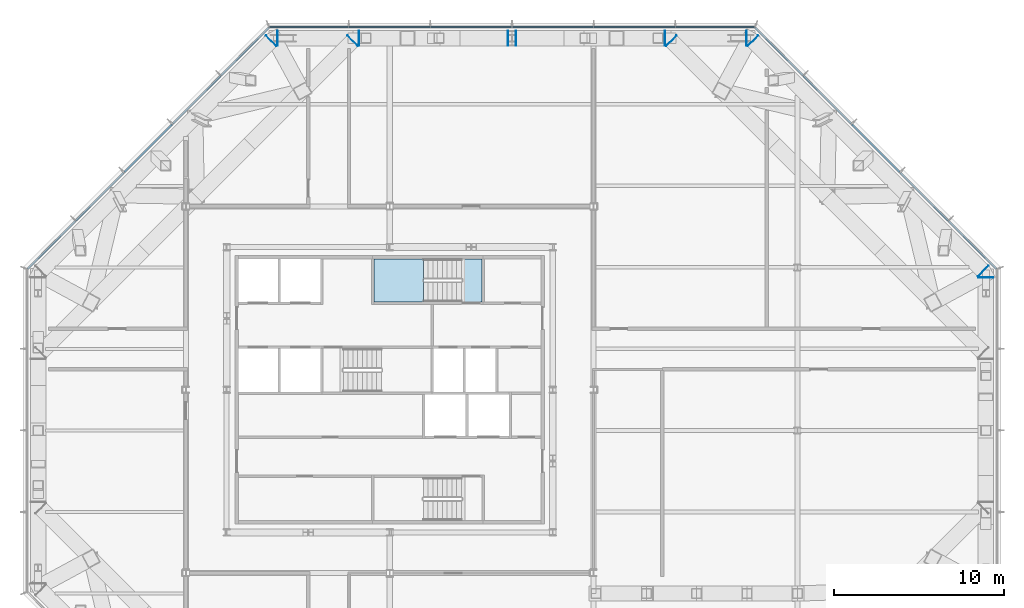
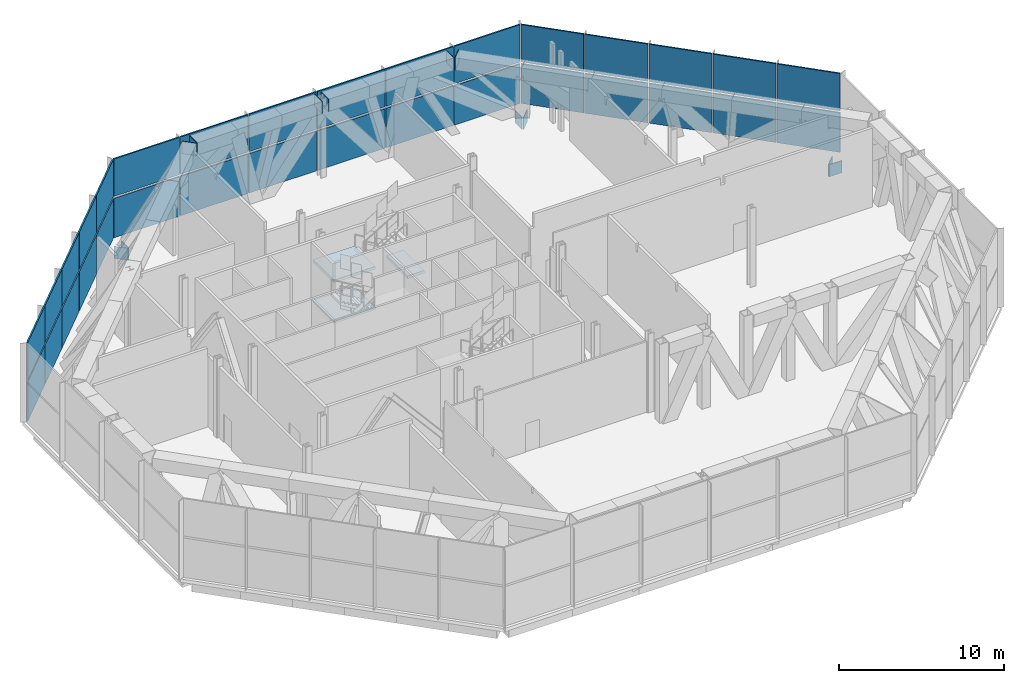
# One storey, part 12 of 18: 44 plates, 3 slabs, 4 elements without a shape of their own.
"""IFC4 building model written with IfcOpenShell, lengths in metres."""

from ifc_helpers import new_model, si_unit, direction, frame, origin, origin_2d, place, context, subcontext, project, spatial, polyline, rectangle, outline, extrude, material, layer, layer_set, material_profile, profile_set, type_object, element, aggregate, save


model = new_model("IFC4")

# Units and contexts
model_context = context("Model", 3, precision=1e-05, world=origin(), true_north=direction((0.0, 1.0)))
body_context = subcontext(model_context, "Body", "Model", "MODEL_VIEW")
ifc_project = project(units=[si_unit("LENGTHUNIT", "METRE"), si_unit("AREAUNIT", "SQUARE_METRE"), si_unit("VOLUMEUNIT", "CUBIC_METRE"), si_unit("PLANEANGLEUNIT", "RADIAN"), si_unit("MASSUNIT", "GRAM", prefix="KILO")], contexts=[model_context])

# Site, building, storey
site_placement = place(None, origin())
site = spatial("IfcSite", under=ifc_project, at=site_placement, CompositionType="ELEMENT")
building_placement = place(site_placement, origin())
building = spatial("IfcBuilding", under=site, at=building_placement, Name="Cairn Pilgrim Tower", CompositionType="ELEMENT")
storey_placement = place(building_placement, frame((0.0, 0.0, 204.60009765625)))
storey = spatial("IfcBuildingStorey", under=building, at=storey_placement, Name="L52", CompositionType="ELEMENT", Elevation=204.60009765625)

# Plates
ifc_material_1 = material(Name="Structural steel S460M", Category="steel")
ifc_material_profile = material_profile(ifc_material_1, rectangle(XDim=0.89990234375, YDim=0.89990234375, at=origin_2d()), Name="END PLATE BOX 900x900x50")
ifc_profile_set = profile_set([ifc_material_profile], Name="Structural steel S460M")
plate_type_1 = type_object("IfcPlateType", Name="END PLATE BOX 900x900x50", PredefinedType="SHEET", material=ifc_profile_set)
plate_1_placement = place(storey_placement, frame((42.300048828125, 8.99072265625, -0.7001953125), z_axis=(0.0, 1.0, 0.0), x_axis=(-1.0, 0.0, 0.0)))
element("IfcPlate", 1, at=plate_1_placement, inside=storey, type_object=plate_type_1, Name="EP-BT52-E-BC4-B", PredefinedType="SHEET", context=body_context, shape_type="SweptSolid", body=[
    extrude(rectangle(XDim=0.89990234375, YDim=0.89990234375, at=origin_2d()), origin(), (0.0, 0.0, 1.0), 0.0400390625),
])
plate_2_placement = place(storey_placement, frame((42.1328125, 9.394287109375, -0.7001953125), z_axis=(0.710161195225, -0.704039115956, 0.0), x_axis=(0.704039115956, 0.710161195225, 0.0)))
element("IfcPlate", 2, at=plate_2_placement, inside=storey, type_object=plate_type_1, Name="EP-BT52-NE-BC1-A", PredefinedType="SHEET", context=body_context, shape_type="SweptSolid", body=[
    extrude(rectangle(XDim=0.89990234375, YDim=0.89990234375, at=origin_2d()), origin(), (0.0, 0.0, 1.0), 0.039794921875),
])
for number, where, z_axis, x_axis, name in (
    (3, (28.594482421875, 22.932861328125, -0.7001953125), (-0.707106781187, 0.707106781187, 0.0), (-0.707106781187, -0.707106781187, 0.0), "EP-BT52-NE-BC6-B"),
    (4, (23.79443359375, 22.932861328125, 5.39990234375), (-0.707106781187, 0.707106781187, 0.0), (-0.707106781187, -0.707106781187, 0.0), "EP-BT52-NE-TC6-B"),
):
    element("IfcPlate", number, at=place(storey_placement, frame(where, z_axis=z_axis, x_axis=x_axis)), inside=storey, type_object=plate_type_1, Name=name, PredefinedType="SHEET", context=body_context, shape_type="SweptSolid", body=[
        extrude(rectangle(XDim=0.89990234375, YDim=0.89990234375, at=origin_2d()), origin(), (0.0, 0.0, 1.0), 0.0400390625),
    ])
plate_3_placement = place(storey_placement, frame((28.19091796875, 23.10009765625, -0.7001953125), z_axis=(1.0, 0.0, 0.0), x_axis=(0.0, 1.0, 0.0)))
element("IfcPlate", 5, at=plate_3_placement, inside=storey, type_object=plate_type_1, Name="EP-BT52-N-BC1-A", PredefinedType="SHEET", context=body_context, shape_type="SweptSolid", body=[
    extrude(rectangle(XDim=0.89990234375, YDim=0.89990234375, at=origin_2d()), origin(), (0.0, 0.0, 1.0), 0.039794921875),
])
for number, where, z_axis, x_axis, name in (
    (6, (23.390869140625, 23.10009765625, 5.39990234375), (1.0, 0.0, 0.0), (0.0, 1.0, 0.0), "EP-BT52-N-TC1-A"),
    (7, (14.64794921875, 23.10009765625, 5.39990234375), (-1.0, 0.0, 0.0), (0.0, -1.0, 0.0), "EP-BT52-N-TC3-B"),
):
    element("IfcPlate", number, at=place(storey_placement, frame(where, z_axis=z_axis, x_axis=x_axis)), inside=storey, type_object=plate_type_1, Name=name, PredefinedType="SHEET", context=body_context, shape_type="SweptSolid", body=[
        extrude(rectangle(XDim=0.89990234375, YDim=0.89990234375, at=origin_2d()), origin(), (0.0, 0.0, 1.0), 0.0400390625),
    ])
plate_4_placement = place(storey_placement, frame((14.152099609375, 23.10009765625, 5.39990234375), z_axis=(1.0, 0.0, 0.0), x_axis=(0.0, 1.0, 0.0)))
element("IfcPlate", 8, at=plate_4_placement, inside=storey, type_object=plate_type_1, Name="EP-BT52-N-TC4-A", PredefinedType="SHEET", context=body_context, shape_type="SweptSolid", body=[
    extrude(rectangle(XDim=0.89990234375, YDim=0.89990234375, at=origin_2d()), origin(), (0.0, 0.0, 1.0), 0.039794921875),
])
for number, where, z_axis, x_axis, name in (
    (9, (0.609130859375, 23.10009765625, -0.7001953125), (-1.0, 0.0, 0.0), (0.0, -1.0, 0.0), "EP-BT52-N-BC6-B"),
    (10, (5.4091796875, 23.10009765625, 5.39990234375), (-1.0, 0.0, 0.0), (0.0, -1.0, 0.0), "EP-BT52-N-TC6-B"),
    (11, (0.20556640625, 22.932861328125, -0.7001953125), (0.707106781187, 0.707106781187, 0.0), (-0.707106781187, 0.707106781187, 0.0), "EP-BT52-NW-BC1-A"),
    (12, (5.005615234375, 22.932861328125, 5.39990234375), (0.707106781187, 0.707106781187, 0.0), (-0.707106781187, 0.707106781187, 0.0), "EP-BT52-NW-TC1-A"),
):
    element("IfcPlate", number, at=place(storey_placement, frame(where, z_axis=z_axis, x_axis=x_axis)), inside=storey, type_object=plate_type_1, Name=name, PredefinedType="SHEET", context=body_context, shape_type="SweptSolid", body=[
        extrude(rectangle(XDim=0.89990234375, YDim=0.89990234375, at=origin_2d()), origin(), (0.0, 0.0, 1.0), 0.0400390625),
    ])

# Curtain wall, plates
ifc_material_2 = material(Name="Aluminium alloy 6063-T6 bronze anodised with Bronze tinted laminated low-E glass 8+16+8.8", Category="aluminium")
curtain_wall_type = type_object("IfcCurtainWallType", Name="PLANT LOUVRE CURTAIN WALL", PredefinedType="NOTDEFINED", material=ifc_material_2)
curtain_wall_1_placement = place(storey_placement, origin())
curtain_wall_1 = element("IfcCurtainWall", 13, at=curtain_wall_1_placement, inside=storey, type_object=curtain_wall_type, Name="Plant Louvre Curtain Wall NE", PredefinedType="NOTDEFINED")
ifc_material_3 = material(Name="Bronze anodised aluminium louvre blades", Category="aluminium")
ifc_layer_1 = layer(ifc_material_3, 0.10009765625)
ifc_layer_set_1 = layer_set([ifc_layer_1], Name="LOUVRE PANEL 3962x2775")
plate_type_2 = type_object("IfcPlateType", Name="LOUVRE PANEL 3962x2775", PredefinedType="CURTAIN_PANEL", material=ifc_layer_set_1)
plate_5_placement = place(storey_placement, frame((41.52099609375, 10.92529296875, 3.074951171875), z_axis=(0.0, 0.0, 1.0), x_axis=(-0.707106781187, 0.707106781187, 0.0)))
plate_5 = element("IfcPlate", 14, at=plate_5_placement, type_object=plate_type_2, Name="Louvre Panel NE1-2", PredefinedType="CURTAIN_PANEL", context=body_context, shape_type="SweptSolid", body=[
    extrude(rectangle(XDim=3.96142578125, YDim=0.10009765625, at=origin_2d()), origin(), (0.0, 0.0, 1.0), 2.77490234375),
])
plate_6_placement = place(storey_placement, frame((30.125244140625, 22.321044921875, 3.074951171875), z_axis=(0.0, 0.0, 1.0), x_axis=(-0.707106781187, 0.707106781187, 0.0)))
plate_6 = element("IfcPlate", 15, at=plate_6_placement, type_object=plate_type_2, Name="Louvre Panel NE5-2", PredefinedType="CURTAIN_PANEL", context=body_context, shape_type="SweptSolid", body=[
    extrude(rectangle(XDim=3.96142578125, YDim=0.10009765625, at=origin_2d()), origin(), (0.0, 0.0, 1.0), 2.77490234375),
])

curtain_wall_2_placement = place(storey_placement, origin())
curtain_wall_2 = element("IfcCurtainWall", 16, at=curtain_wall_2_placement, inside=storey, type_object=curtain_wall_type, Name="Plant Louvre Curtain Wall NW", PredefinedType="NOTDEFINED")
plate_7_placement = place(storey_placement, frame((-1.325439453125, 22.321044921875, 3.074951171875), z_axis=(0.0, 0.0, 1.0), x_axis=(-0.707106781187, -0.707106781187, 0.0)))
plate_7 = element("IfcPlate", 17, at=plate_7_placement, type_object=plate_type_2, Name="Louvre Panel NW1-2", PredefinedType="CURTAIN_PANEL", context=body_context, shape_type="SweptSolid", body=[
    extrude(rectangle(XDim=3.96142578125, YDim=0.10009765625, at=origin_2d()), origin(), (0.0, 0.0, 1.0), 2.77490234375),
])
plate_8_placement = place(storey_placement, frame((-12.72119140625, 10.92529296875, 3.074951171875), z_axis=(0.0, 0.0, 1.0), x_axis=(-0.707106781187, -0.707106781187, 0.0)))
plate_8 = element("IfcPlate", 18, at=plate_8_placement, type_object=plate_type_2, Name="Louvre Panel NW5-2", PredefinedType="CURTAIN_PANEL", context=body_context, shape_type="SweptSolid", body=[
    extrude(rectangle(XDim=3.96142578125, YDim=0.10009765625, at=origin_2d()), origin(), (0.0, 0.0, 1.0), 2.77490234375),
])

# Plate
ifc_layer_2 = layer(ifc_material_3, 0.10009765625)
ifc_layer_set_2 = layer_set([ifc_layer_2], Name="LOUVRE PANEL 3962x2925")
plate_type_3 = type_object("IfcPlateType", Name="LOUVRE PANEL 3962x2925", PredefinedType="CURTAIN_PANEL", material=ifc_layer_set_2)
plate_9_placement = place(storey_placement, frame((41.52099609375, 10.92529296875, 0.0), z_axis=(0.0, 0.0, 1.0), x_axis=(-0.707106781187, 0.707106781187, 0.0)))
plate_9 = element("IfcPlate", 19, at=plate_9_placement, type_object=plate_type_3, Name="Louvre Panel NE1-1", PredefinedType="CURTAIN_PANEL", context=body_context, shape_type="SweptSolid", body=[
    extrude(rectangle(XDim=3.96142578125, YDim=0.10009765625, at=origin_2d()), origin(), (0.0, 0.0, 1.0), 2.925048828125),
])

plate_10_placement = place(storey_placement, frame((30.125244140625, 22.321044921875, 0.0), z_axis=(0.0, 0.0, 1.0), x_axis=(-0.707106781187, 0.707106781187, 0.0)))
plate_10 = element("IfcPlate", 20, at=plate_10_placement, type_object=plate_type_3, Name="Louvre Panel NE5-1", PredefinedType="CURTAIN_PANEL", context=body_context, shape_type="SweptSolid", body=[
    extrude(rectangle(XDim=3.96142578125, YDim=0.10009765625, at=origin_2d()), origin(), (0.0, 0.0, 1.0), 2.925048828125),
])

plate_11_placement = place(storey_placement, frame((-1.325439453125, 22.321044921875, 0.0), z_axis=(0.0, 0.0, 1.0), x_axis=(-0.707106781187, -0.707106781187, 0.0)))
plate_11 = element("IfcPlate", 21, at=plate_11_placement, type_object=plate_type_3, Name="Louvre Panel NW1-1", PredefinedType="CURTAIN_PANEL", context=body_context, shape_type="SweptSolid", body=[
    extrude(rectangle(XDim=3.96142578125, YDim=0.10009765625, at=origin_2d()), origin(), (0.0, 0.0, 1.0), 2.925048828125),
])

plate_12_placement = place(storey_placement, frame((-12.72119140625, 10.92529296875, 0.0), z_axis=(0.0, 0.0, 1.0), x_axis=(-0.707106781187, -0.707106781187, 0.0)))
plate_12 = element("IfcPlate", 22, at=plate_12_placement, type_object=plate_type_3, Name="Louvre Panel NW5-1", PredefinedType="CURTAIN_PANEL", context=body_context, shape_type="SweptSolid", body=[
    extrude(rectangle(XDim=3.96142578125, YDim=0.10009765625, at=origin_2d()), origin(), (0.0, 0.0, 1.0), 2.925048828125),
])

ifc_layer_3 = layer(ifc_material_3, 0.10009765625)
ifc_layer_set_3 = layer_set([ifc_layer_3], Name="LOUVRE PANEL 3972x2775")
plate_type_4 = type_object("IfcPlateType", Name="LOUVRE PANEL 3972x2775", PredefinedType="CURTAIN_PANEL", material=ifc_layer_set_3)
plate_13_placement = place(storey_placement, frame((38.673828125, 13.7724609375, 3.074951171875), z_axis=(0.0, 0.0, 1.0), x_axis=(-0.707106781187, 0.707106781187, 0.0)))
plate_13 = element("IfcPlate", 23, at=plate_13_placement, type_object=plate_type_4, Name="Louvre Panel NE2-2", PredefinedType="CURTAIN_PANEL", context=body_context, shape_type="SweptSolid", body=[
    extrude(rectangle(XDim=3.971435546875, YDim=0.10009765625, at=origin_2d()), origin(), (0.0, 0.0, 1.0), 2.77490234375),
])

plate_14_placement = place(storey_placement, frame((35.8232421875, 16.623291015625, 3.074951171875), z_axis=(0.0, 0.0, 1.0), x_axis=(-0.707106781187, 0.707106781187, 0.0)))
plate_14 = element("IfcPlate", 24, at=plate_14_placement, type_object=plate_type_4, Name="Louvre Panel NE3-2", PredefinedType="CURTAIN_PANEL", context=body_context, shape_type="SweptSolid", body=[
    extrude(rectangle(XDim=3.971435546875, YDim=0.10009765625, at=origin_2d()), origin(), (0.0, 0.0, 1.0), 2.77490234375),
])

plate_15_placement = place(storey_placement, frame((32.972412109375, 19.473876953125, 3.074951171875), z_axis=(0.0, 0.0, 1.0), x_axis=(-0.707106781187, 0.707106781187, 0.0)))
plate_15 = element("IfcPlate", 25, at=plate_15_placement, type_object=plate_type_4, Name="Louvre Panel NE4-2", PredefinedType="CURTAIN_PANEL", context=body_context, shape_type="SweptSolid", body=[
    extrude(rectangle(XDim=3.971435546875, YDim=0.10009765625, at=origin_2d()), origin(), (0.0, 0.0, 1.0), 2.77490234375),
])

plate_16_placement = place(storey_placement, frame((-4.172607421875, 19.473876953125, 3.074951171875), z_axis=(0.0, 0.0, 1.0), x_axis=(-0.707106781187, -0.707106781187, 0.0)))
plate_16 = element("IfcPlate", 26, at=plate_16_placement, type_object=plate_type_4, Name="Louvre Panel NW2-2", PredefinedType="CURTAIN_PANEL", context=body_context, shape_type="SweptSolid", body=[
    extrude(rectangle(XDim=3.971435546875, YDim=0.10009765625, at=origin_2d()), origin(), (0.0, 0.0, 1.0), 2.77490234375),
])

plate_17_placement = place(storey_placement, frame((-7.023193359375, 16.623291015625, 3.074951171875), z_axis=(0.0, 0.0, 1.0), x_axis=(-0.707106781187, -0.707106781187, 0.0)))
plate_17 = element("IfcPlate", 27, at=plate_17_placement, type_object=plate_type_4, Name="Louvre Panel NW3-2", PredefinedType="CURTAIN_PANEL", context=body_context, shape_type="SweptSolid", body=[
    extrude(rectangle(XDim=3.971435546875, YDim=0.10009765625, at=origin_2d()), origin(), (0.0, 0.0, 1.0), 2.77490234375),
])

plate_18_placement = place(storey_placement, frame((-9.8740234375, 13.7724609375, 3.074951171875), z_axis=(0.0, 0.0, 1.0), x_axis=(-0.707106781187, -0.707106781187, 0.0)))
plate_18 = element("IfcPlate", 28, at=plate_18_placement, type_object=plate_type_4, Name="Louvre Panel NW4-2", PredefinedType="CURTAIN_PANEL", context=body_context, shape_type="SweptSolid", body=[
    extrude(rectangle(XDim=3.971435546875, YDim=0.10009765625, at=origin_2d()), origin(), (0.0, 0.0, 1.0), 2.77490234375),
])

ifc_layer_4 = layer(ifc_material_3, 0.10009765625)
ifc_layer_set_4 = layer_set([ifc_layer_4], Name="LOUVRE PANEL 3972x2925")
plate_type_5 = type_object("IfcPlateType", Name="LOUVRE PANEL 3972x2925", PredefinedType="CURTAIN_PANEL", material=ifc_layer_set_4)
plate_19_placement = place(storey_placement, frame((38.673828125, 13.7724609375, 0.0), z_axis=(0.0, 0.0, 1.0), x_axis=(-0.707106781187, 0.707106781187, 0.0)))
plate_19 = element("IfcPlate", 29, at=plate_19_placement, type_object=plate_type_5, Name="Louvre Panel NE2-1", PredefinedType="CURTAIN_PANEL", context=body_context, shape_type="SweptSolid", body=[
    extrude(rectangle(XDim=3.971435546875, YDim=0.10009765625, at=origin_2d()), origin(), (0.0, 0.0, 1.0), 2.925048828125),
])

plate_20_placement = place(storey_placement, frame((35.8232421875, 16.623291015625, 0.0), z_axis=(0.0, 0.0, 1.0), x_axis=(-0.707106781187, 0.707106781187, 0.0)))
plate_20 = element("IfcPlate", 30, at=plate_20_placement, type_object=plate_type_5, Name="Louvre Panel NE3-1", PredefinedType="CURTAIN_PANEL", context=body_context, shape_type="SweptSolid", body=[
    extrude(rectangle(XDim=3.971435546875, YDim=0.10009765625, at=origin_2d()), origin(), (0.0, 0.0, 1.0), 2.925048828125),
])

plate_21_placement = place(storey_placement, frame((32.972412109375, 19.473876953125, 0.0), z_axis=(0.0, 0.0, 1.0), x_axis=(-0.707106781187, 0.707106781187, 0.0)))
plate_21 = element("IfcPlate", 31, at=plate_21_placement, type_object=plate_type_5, Name="Louvre Panel NE4-1", PredefinedType="CURTAIN_PANEL", context=body_context, shape_type="SweptSolid", body=[
    extrude(rectangle(XDim=3.971435546875, YDim=0.10009765625, at=origin_2d()), origin(), (0.0, 0.0, 1.0), 2.925048828125),
])

aggregate(curtain_wall_1, [plate_9, plate_5, plate_19, plate_13, plate_20, plate_14, plate_21, plate_15, plate_10, plate_6])

plate_22_placement = place(storey_placement, frame((-4.172607421875, 19.473876953125, 0.0), z_axis=(0.0, 0.0, 1.0), x_axis=(-0.707106781187, -0.707106781187, 0.0)))
plate_22 = element("IfcPlate", 32, at=plate_22_placement, type_object=plate_type_5, Name="Louvre Panel NW2-1", PredefinedType="CURTAIN_PANEL", context=body_context, shape_type="SweptSolid", body=[
    extrude(rectangle(XDim=3.971435546875, YDim=0.10009765625, at=origin_2d()), origin(), (0.0, 0.0, 1.0), 2.925048828125),
])

plate_23_placement = place(storey_placement, frame((-7.023193359375, 16.623291015625, 0.0), z_axis=(0.0, 0.0, 1.0), x_axis=(-0.707106781187, -0.707106781187, 0.0)))
plate_23 = element("IfcPlate", 33, at=plate_23_placement, type_object=plate_type_5, Name="Louvre Panel NW3-1", PredefinedType="CURTAIN_PANEL", context=body_context, shape_type="SweptSolid", body=[
    extrude(rectangle(XDim=3.971435546875, YDim=0.10009765625, at=origin_2d()), origin(), (0.0, 0.0, 1.0), 2.925048828125),
])

plate_24_placement = place(storey_placement, frame((-9.8740234375, 13.7724609375, 0.0), z_axis=(0.0, 0.0, 1.0), x_axis=(-0.707106781187, -0.707106781187, 0.0)))
plate_24 = element("IfcPlate", 34, at=plate_24_placement, type_object=plate_type_5, Name="Louvre Panel NW4-1", PredefinedType="CURTAIN_PANEL", context=body_context, shape_type="SweptSolid", body=[
    extrude(rectangle(XDim=3.971435546875, YDim=0.10009765625, at=origin_2d()), origin(), (0.0, 0.0, 1.0), 2.925048828125),
])

aggregate(curtain_wall_2, [plate_11, plate_7, plate_22, plate_16, plate_23, plate_17, plate_24, plate_18, plate_12, plate_8])

# Curtain wall, plates
curtain_wall_3_placement = place(storey_placement, origin())
curtain_wall_3 = element("IfcCurtainWall", 35, at=curtain_wall_3_placement, inside=storey, type_object=curtain_wall_type, Name="Plant Louvre Curtain Wall N", PredefinedType="NOTDEFINED")
ifc_layer_5 = layer(ifc_material_3, 0.10009765625)
ifc_layer_set_5 = layer_set([ifc_layer_5], Name="LOUVRE PANEL 4626x2775")
plate_type_6 = type_object("IfcPlateType", Name="LOUVRE PANEL 4626x2775", PredefinedType="CURTAIN_PANEL", material=ifc_layer_set_5)
plate_25_placement = place(storey_placement, frame((26.34326171875, 23.75, 3.074951171875), z_axis=(0.0, 0.0, 1.0), x_axis=(-1.0, 0.0, 0.0)))
plate_25 = element("IfcPlate", 36, at=plate_25_placement, type_object=plate_type_6, Name="Louvre Panel N1-2", PredefinedType="CURTAIN_PANEL", context=body_context, shape_type="SweptSolid", body=[
    extrude(rectangle(XDim=4.62646484375, YDim=0.10009765625, at=origin_2d()), origin(), (0.0, 0.0, 1.0), 2.77490234375),
])
plate_26_placement = place(storey_placement, frame((2.456787109375, 23.75, 3.074951171875), z_axis=(0.0, 0.0, 1.0), x_axis=(-1.0, 0.0, 0.0)))
plate_26 = element("IfcPlate", 37, at=plate_26_placement, type_object=plate_type_6, Name="Louvre Panel N6-2", PredefinedType="CURTAIN_PANEL", context=body_context, shape_type="SweptSolid", body=[
    extrude(rectangle(XDim=4.62646484375, YDim=0.10009765625, at=origin_2d()), origin(), (0.0, 0.0, 1.0), 2.77490234375),
])
ifc_layer_6 = layer(ifc_material_3, 0.10009765625)
ifc_layer_set_6 = layer_set([ifc_layer_6], Name="LOUVRE PANEL 4626x2925")
plate_type_7 = type_object("IfcPlateType", Name="LOUVRE PANEL 4626x2925", PredefinedType="CURTAIN_PANEL", material=ifc_layer_set_6)
plate_27_placement = place(storey_placement, frame((26.34326171875, 23.75, 0.0), z_axis=(0.0, 0.0, 1.0), x_axis=(-1.0, 0.0, 0.0)))
plate_27 = element("IfcPlate", 38, at=plate_27_placement, type_object=plate_type_7, Name="Louvre Panel N1-1", PredefinedType="CURTAIN_PANEL", context=body_context, shape_type="SweptSolid", body=[
    extrude(rectangle(XDim=4.62646484375, YDim=0.10009765625, at=origin_2d()), origin(), (0.0, 0.0, 1.0), 2.925048828125),
])
plate_28_placement = place(storey_placement, frame((2.456787109375, 23.75, 0.0), z_axis=(0.0, 0.0, 1.0), x_axis=(-1.0, 0.0, 0.0)))
plate_28 = element("IfcPlate", 39, at=plate_28_placement, type_object=plate_type_7, Name="Louvre Panel N6-1", PredefinedType="CURTAIN_PANEL", context=body_context, shape_type="SweptSolid", body=[
    extrude(rectangle(XDim=4.62646484375, YDim=0.10009765625, at=origin_2d()), origin(), (0.0, 0.0, 1.0), 2.925048828125),
])
ifc_layer_7 = layer(ifc_material_3, 0.10009765625)
ifc_layer_set_7 = layer_set([ifc_layer_7], Name="LOUVRE PANEL 4740x2775")
plate_type_8 = type_object("IfcPlateType", Name="LOUVRE PANEL 4740x2775", PredefinedType="CURTAIN_PANEL", material=ifc_layer_set_7)
plate_29_placement = place(storey_placement, frame((21.60009765625, 23.75, 3.074951171875), z_axis=(0.0, 0.0, 1.0), x_axis=(-1.0, 0.0, 0.0)))
plate_29 = element("IfcPlate", 40, at=plate_29_placement, type_object=plate_type_8, Name="Louvre Panel N2-2", PredefinedType="CURTAIN_PANEL", context=body_context, shape_type="SweptSolid", body=[
    extrude(rectangle(XDim=4.739990234375, YDim=0.10009765625, at=origin_2d()), origin(), (0.0, 0.0, 1.0), 2.77490234375),
])
plate_30_placement = place(storey_placement, frame((16.800048828125, 23.75, 3.074951171875), z_axis=(0.0, 0.0, 1.0), x_axis=(-1.0, 0.0, 0.0)))
plate_30 = element("IfcPlate", 41, at=plate_30_placement, type_object=plate_type_8, Name="Louvre Panel N3-2", PredefinedType="CURTAIN_PANEL", context=body_context, shape_type="SweptSolid", body=[
    extrude(rectangle(XDim=4.739990234375, YDim=0.10009765625, at=origin_2d()), origin(), (0.0, 0.0, 1.0), 2.77490234375),
])
plate_31_placement = place(storey_placement, frame((12.0, 23.75, 3.074951171875), z_axis=(0.0, 0.0, 1.0), x_axis=(-1.0, 0.0, 0.0)))
plate_31 = element("IfcPlate", 42, at=plate_31_placement, type_object=plate_type_8, Name="Louvre Panel N4-2", PredefinedType="CURTAIN_PANEL", context=body_context, shape_type="SweptSolid", body=[
    extrude(rectangle(XDim=4.739990234375, YDim=0.10009765625, at=origin_2d()), origin(), (0.0, 0.0, 1.0), 2.77490234375),
])
plate_32_placement = place(storey_placement, frame((7.199951171875, 23.75, 3.074951171875), z_axis=(0.0, 0.0, 1.0), x_axis=(-1.0, 0.0, 0.0)))
plate_32 = element("IfcPlate", 43, at=plate_32_placement, type_object=plate_type_8, Name="Louvre Panel N5-2", PredefinedType="CURTAIN_PANEL", context=body_context, shape_type="SweptSolid", body=[
    extrude(rectangle(XDim=4.739990234375, YDim=0.10009765625, at=origin_2d()), origin(), (0.0, 0.0, 1.0), 2.77490234375),
])
ifc_layer_8 = layer(ifc_material_3, 0.10009765625)
ifc_layer_set_8 = layer_set([ifc_layer_8], Name="LOUVRE PANEL 4740x2925")
plate_type_9 = type_object("IfcPlateType", Name="LOUVRE PANEL 4740x2925", PredefinedType="CURTAIN_PANEL", material=ifc_layer_set_8)
plate_33_placement = place(storey_placement, frame((21.60009765625, 23.75, 0.0), z_axis=(0.0, 0.0, 1.0), x_axis=(-1.0, 0.0, 0.0)))
plate_33 = element("IfcPlate", 44, at=plate_33_placement, type_object=plate_type_9, Name="Louvre Panel N2-1", PredefinedType="CURTAIN_PANEL", context=body_context, shape_type="SweptSolid", body=[
    extrude(rectangle(XDim=4.739990234375, YDim=0.10009765625, at=origin_2d()), origin(), (0.0, 0.0, 1.0), 2.925048828125),
])
plate_34_placement = place(storey_placement, frame((16.800048828125, 23.75, 0.0), z_axis=(0.0, 0.0, 1.0), x_axis=(-1.0, 0.0, 0.0)))
plate_34 = element("IfcPlate", 45, at=plate_34_placement, type_object=plate_type_9, Name="Louvre Panel N3-1", PredefinedType="CURTAIN_PANEL", context=body_context, shape_type="SweptSolid", body=[
    extrude(rectangle(XDim=4.739990234375, YDim=0.10009765625, at=origin_2d()), origin(), (0.0, 0.0, 1.0), 2.925048828125),
])
plate_35_placement = place(storey_placement, frame((12.0, 23.75, 0.0), z_axis=(0.0, 0.0, 1.0), x_axis=(-1.0, 0.0, 0.0)))
plate_35 = element("IfcPlate", 46, at=plate_35_placement, type_object=plate_type_9, Name="Louvre Panel N4-1", PredefinedType="CURTAIN_PANEL", context=body_context, shape_type="SweptSolid", body=[
    extrude(rectangle(XDim=4.739990234375, YDim=0.10009765625, at=origin_2d()), origin(), (0.0, 0.0, 1.0), 2.925048828125),
])
plate_36_placement = place(storey_placement, frame((7.199951171875, 23.75, 0.0), z_axis=(0.0, 0.0, 1.0), x_axis=(-1.0, 0.0, 0.0)))
plate_36 = element("IfcPlate", 47, at=plate_36_placement, type_object=plate_type_9, Name="Louvre Panel N5-1", PredefinedType="CURTAIN_PANEL", context=body_context, shape_type="SweptSolid", body=[
    extrude(rectangle(XDim=4.739990234375, YDim=0.10009765625, at=origin_2d()), origin(), (0.0, 0.0, 1.0), 2.925048828125),
])
aggregate(curtain_wall_3, [plate_27, plate_25, plate_33, plate_29, plate_34, plate_30, plate_35, plate_31, plate_36, plate_32, plate_28, plate_26])

# Stair, slabs
ifc_material_4 = material(Name="Concrete C32/40", Category="concrete")
stair_type = type_object("IfcStairType", Name="EXIT STAIR 1200", PredefinedType="HALF_TURN_STAIR", material=ifc_material_4)
stair_placement = place(storey_placement, origin())
stair = element("IfcStair", 48, at=stair_placement, inside=storey, type_object=stair_type, Name="L52 Exit Stair C", PredefinedType="HALF_TURN_STAIR")
ifc_layer_9 = layer(ifc_material_4, 0.199951171875)
ifc_layer_set_9 = layer_set([ifc_layer_9], Name="STAIR LANDING 200")
slab_type = type_object("IfcSlabType", Name="STAIR LANDING 200", PredefinedType="LANDING", material=ifc_layer_set_9)
slab_1_placement = place(storey_placement, frame((0.0, 0.0, 1.2998046875)))
slab_1 = element("IfcSlab", 49, at=slab_1_placement, type_object=slab_type, Name="ST-C landing 1", PredefinedType="LANDING", context=body_context, shape_type="SweptSolid", body=[
    extrude(outline(polyline([(9.18505859375, 10.10009765625), (6.27490234375, 10.10009765625), (6.27490234375, 7.574951171875), (9.18505859375, 7.574951171875), (9.18505859375, 10.10009765625)])), origin(), (0.0, 0.0, 1.0), 0.2001953125),
])
slab_2_placement = place(storey_placement, frame((0.0, 0.0, 2.7998046875)))
slab_2 = element("IfcSlab", 50, at=slab_2_placement, type_object=slab_type, Name="ST-C landing 2", PredefinedType="LANDING", context=body_context, shape_type="SweptSolid", body=[
    extrude(outline(polyline([(12.625, 10.10009765625), (11.425048828125, 10.10009765625), (11.425048828125, 7.574951171875), (12.625, 7.574951171875), (12.625, 10.10009765625)])), origin(), (0.0, 0.0, 1.0), 0.2001953125),
])
slab_3_placement = place(storey_placement, frame((0.0, 0.0, 4.2998046875)))
slab_3 = element("IfcSlab", 51, at=slab_3_placement, type_object=slab_type, Name="ST-C landing 3", PredefinedType="LANDING", context=body_context, shape_type="SweptSolid", body=[
    extrude(outline(polyline([(9.18505859375, 10.10009765625), (6.27490234375, 10.10009765625), (6.27490234375, 7.574951171875), (9.18505859375, 7.574951171875), (9.18505859375, 10.10009765625)])), origin(), (0.0, 0.0, 1.0), 0.2001953125),
])
aggregate(stair, [slab_1, slab_2, slab_3])

save(model, "model.ifc")
